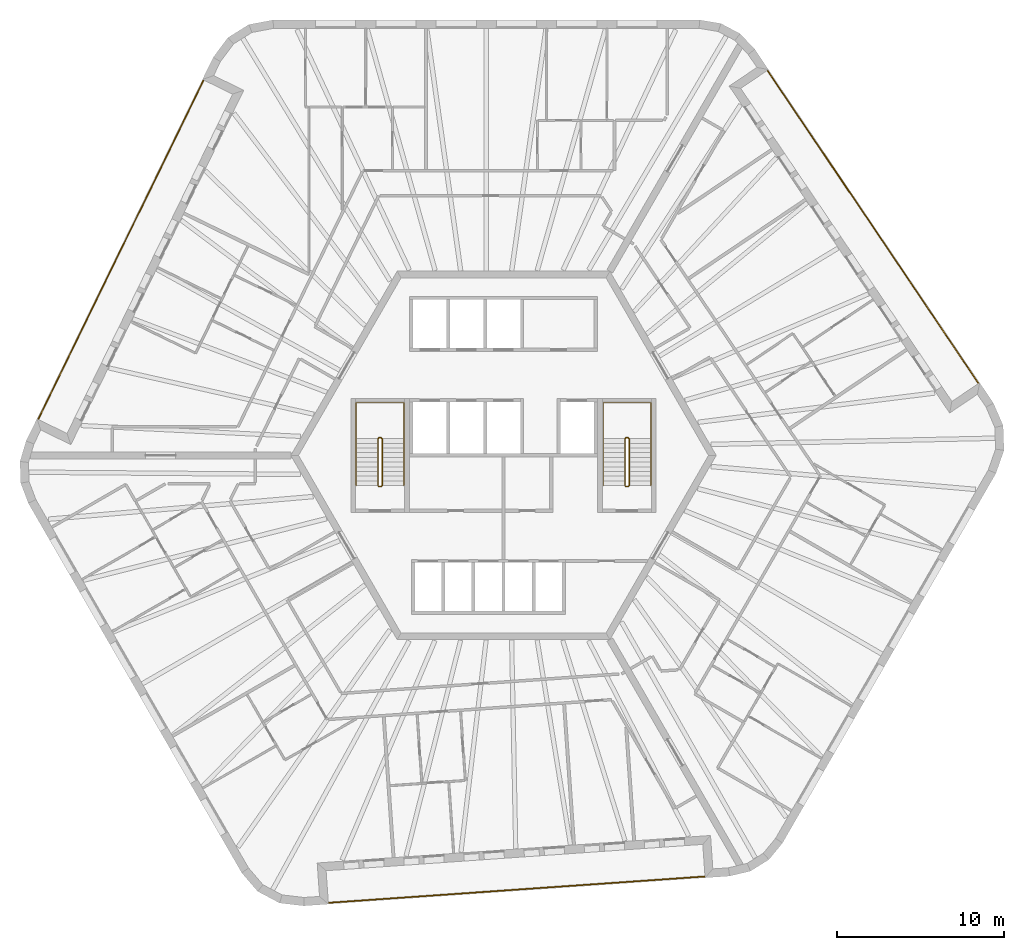
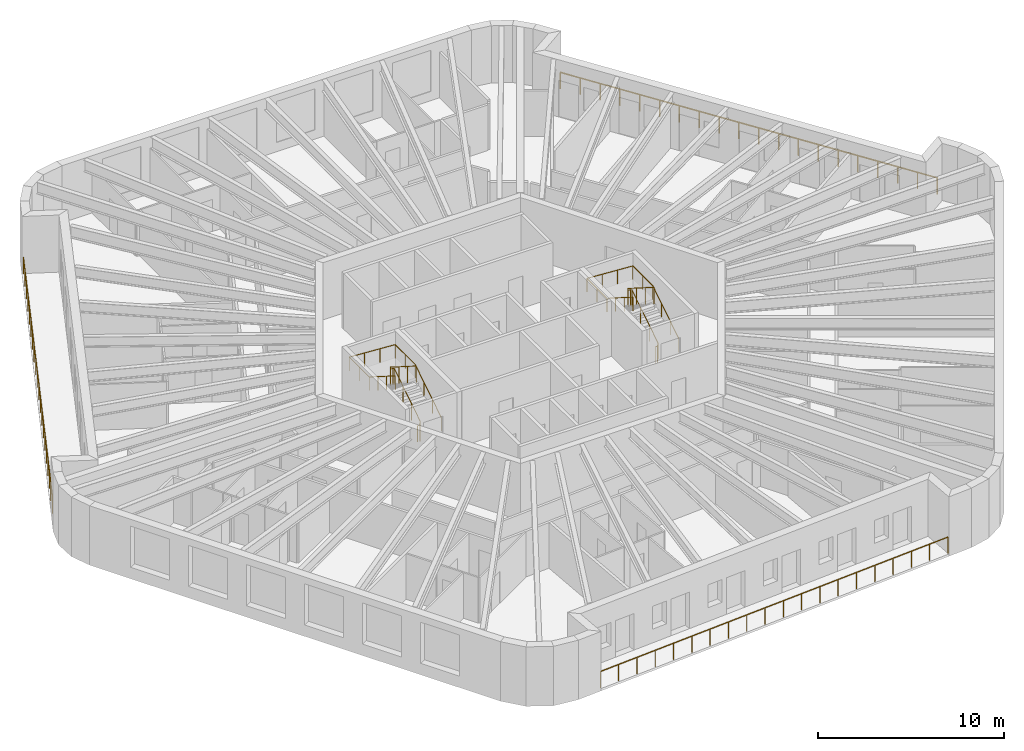
# One storey, part 12 of 12: 7 railings.
"""IFC4 building model written with IfcOpenShell, lengths in metres."""

import ifcopenshell
import ifcopenshell.guid

model = None  # the IFC model being written
_history = None  # IfcOwnerHistory: only IFC2X3 demands one
_inside = {}  # id of a spatial element -> (the spatial element, [elements in it])
_under = {}  # id of a project, library or spatial element -> (it, [spatial elements below it])
_declared = {}  # id of a project -> (the project, [libraries it declares])
_typed = {}  # id of a type object -> (the type object, [elements of that type])
_made_of = {}  # id of a material, layer set ... -> (it, [elements and type objects made of it])


def new_model(schema):
    """Start an empty IFC model of exactly this schema.

    Asked for "IFC4X3", IfcOpenShell would pick the latest addendum, in which some entities
    have other attributes; the version numbers below select the first issue.
    IFC2X3 requires an IfcOwnerHistory on every rooted entity: one is made here for all.
    """
    global model, _history
    if schema == "IFC4X3":
        model = ifcopenshell.file(schema_version=(4, 3, 0, 0))
    else:
        model = ifcopenshell.file(schema=schema)
    _inside.clear()
    _under.clear()
    _declared.clear()
    _typed.clear()
    _made_of.clear()
    _history = None
    if model.schema == "IFC2X3":
        org = make("IfcOrganization", Name="unknown")
        user = make(
            "IfcPersonAndOrganization",
            ThePerson=make("IfcPerson", FamilyName="unknown"),
            TheOrganization=org,
        )
        app = make(
            "IfcApplication",
            ApplicationDeveloper=org,
            Version="unknown",
            ApplicationFullName="unknown",
            ApplicationIdentifier="unknown",
        )
        _history = make(
            "IfcOwnerHistory",
            OwningUser=user,
            OwningApplication=app,
            ChangeAction="ADDED",
            CreationDate=0,
        )
    return model


def make(cls, **values):
    """One entity of the class cls with the attributes given. An attribute that is None is left unset."""
    return model.create_entity(
        cls, **{name: value for name, value in values.items() if value is not None}
    )


def rooted(cls, **values):
    """An entity with a GlobalId (a new one), such as an element, a storey or a relation."""
    return make(cls, GlobalId=ifcopenshell.guid.new(), OwnerHistory=_history, **values)


def si_unit(unit_type, name, prefix=None):
    """IfcSIUnit, for example si_unit("LENGTHUNIT", "METRE", prefix="MILLI")."""
    return make("IfcSIUnit", UnitType=unit_type, Prefix=prefix, Name=name)


def assignment(units):
    """IfcUnitAssignment: the units of a project."""
    return None if units is None else make("IfcUnitAssignment", Units=units)


def point(xyz):
    """IfcCartesianPoint."""
    return None if xyz is None else make("IfcCartesianPoint", Coordinates=xyz)


def direction(xyz):
    """IfcDirection."""
    return None if xyz is None else make("IfcDirection", DirectionRatios=xyz)


def frame(location, z_axis=None, x_axis=None):
    """IfcAxis2Placement3D, a coordinate frame: its origin and axes. An axis left out is left unset."""
    return make(
        "IfcAxis2Placement3D",
        Location=point(location),
        Axis=direction(z_axis),
        RefDirection=direction(x_axis),
    )


def frame_2d(location, x_axis=None):
    """IfcAxis2Placement2D, a coordinate frame in the plane: its origin and x axis."""
    return make(
        "IfcAxis2Placement2D", Location=point(location), RefDirection=direction(x_axis)
    )


def origin():
    """The frame at (0, 0, 0) with its axes left unset."""
    return frame((0.0, 0.0, 0.0))


def origin_2d():
    """The frame at (0, 0) in the plane with its x axis left unset."""
    return frame_2d((0.0, 0.0))


def place(relative_to, where):
    """IfcLocalPlacement: puts the frame where relative to a parent placement (None: the world)."""
    return make(
        "IfcLocalPlacement", PlacementRelTo=relative_to, RelativePlacement=where
    )


def context(
    kind, dimensions, precision=None, world=None, true_north=None, identifier=None
):
    """IfcGeometricRepresentationContext, for example the 3D "Model" context."""
    return make(
        "IfcGeometricRepresentationContext",
        ContextIdentifier=identifier,
        ContextType=kind,
        CoordinateSpaceDimension=dimensions,
        Precision=precision,
        WorldCoordinateSystem=world,
        TrueNorth=true_north,
    )


def subcontext(parent, identifier, kind, view, scale=None):
    """IfcGeometricRepresentationSubContext, for example "Body" below "Model"."""
    return make(
        "IfcGeometricRepresentationSubContext",
        ContextIdentifier=identifier,
        ContextType=kind,
        ParentContext=parent,
        TargetScale=scale,
        TargetView=view,
    )


def project(units=None, contexts=None):
    """IfcProject with its units and contexts."""
    return rooted(
        "IfcProject",
        Name="project",
        RepresentationContexts=contexts,
        UnitsInContext=assignment(units),
    )


def spatial(cls, under=None, at=None, **own):
    """A site, building, storey or space (cls), placed at a placement, below another one or the project."""
    s = rooted(cls, ObjectPlacement=at, **own)
    if under is not None:
        _under.setdefault(under.id(), (under, []))[1].append(s)
    return s


def profile(cls, at=None, kind="AREA", **sizes):
    """A parametric profile (cls). Its sizes go by their IFC names, for example OverallWidth=200.0."""
    return make(cls, ProfileType=kind, Position=at, **sizes)


def circle(**sizes):
    """IfcCircleProfileDef."""
    return profile("IfcCircleProfileDef", **sizes)


def extrude(swept, where, along, depth):
    """IfcExtrudedAreaSolid: the profile swept, set in the frame where, extruded along a direction by depth."""
    return make(
        "IfcExtrudedAreaSolid",
        SweptArea=swept,
        Position=where,
        ExtrudedDirection=direction(along),
        Depth=depth,
    )


def shape(context_of_items, identifier, shape_type, items):
    """IfcShapeRepresentation: the items that make up one representation, for example the "Body"."""
    return make(
        "IfcShapeRepresentation",
        ContextOfItems=context_of_items,
        RepresentationIdentifier=identifier,
        RepresentationType=shape_type,
        Items=items,
    )


def material(Name=None, Category=None):
    """IfcMaterial."""
    return make("IfcMaterial", Name=Name, Category=Category)


def made_of(thing, what):
    """Note that an element or type object is made of a material, layer set ...; save() writes the relation."""
    if what is not None:
        _made_of.setdefault(what.id(), (what, []))[1].append(thing)
    return thing


def type_object(cls, material=None, **own):
    """A type object (cls), such as IfcWallType, which elements share."""
    return made_of(rooted(cls, **own), material)


def element(
    cls,
    number,
    at=None,
    inside=None,
    cuts=None,
    type_object=None,
    material=None,
    context=None,
    identifier="Body",
    shape_type=None,
    held_by="IfcProductDefinitionShape",
    body=None,
    shapes=None,
    **own,
):
    """One element of the class cls, such as IfcWall. Its Tag is "e" and its number.

    at: its placement. inside: the storey or other place that contains it. cuts: it is an
    opening in that element (IfcRelVoidsElement). A single representation is given by context,
    identifier, shape_type and body (its items); several are given by shapes. held_by: the class
    of the entity that holds the representations. save() writes the other relations.
    """
    e = rooted(cls, Tag="e%d" % number, ObjectPlacement=at, **own)
    if body is not None:
        shapes = [shape(context, identifier, shape_type, body)]
    if shapes is not None:
        e.Representation = make(held_by, Representations=shapes)
    if inside is not None:
        _inside.setdefault(inside.id(), (inside, []))[1].append(e)
    if cuts is not None:
        rooted(
            "IfcRelVoidsElement", RelatingBuildingElement=cuts, RelatedOpeningElement=e
        )
    if type_object is not None:
        _typed.setdefault(type_object.id(), (type_object, []))[1].append(e)
    return made_of(e, material)


def aggregate(whole, parts):
    """IfcRelAggregates: a whole, such as a stair, and the parts it consists of."""
    return rooted("IfcRelAggregates", RelatingObject=whole, RelatedObjects=parts)


def save(model, path):
    """Write the relations noted so far, then the file.

    IfcRelAggregates (storeys below a building ...), IfcRelContainedInSpatialStructure (elements
    in a storey), IfcRelDefinesByType, IfcRelAssociatesMaterial and IfcRelDeclares: one each for
    every whole, place, type object, material and project.
    """
    for whole, parts in _under.values():
        aggregate(whole, parts)
    for where, things in _inside.values():
        rooted(
            "IfcRelContainedInSpatialStructure",
            RelatedElements=things,
            RelatingStructure=where,
        )
    for kind, things in _typed.values():
        rooted("IfcRelDefinesByType", RelatedObjects=things, RelatingType=kind)
    for what, things in _made_of.values():
        rooted("IfcRelAssociatesMaterial", RelatedObjects=things, RelatingMaterial=what)
    for by, libraries in _declared.values():
        rooted("IfcRelDeclares", RelatingContext=by, RelatedDefinitions=libraries)
    model.write(path)


model = new_model("IFC4")

# Units and contexts
model_context = context("Model", 3, precision=1e-05, world=origin(), true_north=direction((0.0, 1.0)))
body_context = subcontext(model_context, "Body", "Model", "MODEL_VIEW")
ifc_project = project(units=[si_unit("LENGTHUNIT", "METRE"), si_unit("AREAUNIT", "SQUARE_METRE"), si_unit("VOLUMEUNIT", "CUBIC_METRE"), si_unit("PLANEANGLEUNIT", "RADIAN"), si_unit("MASSUNIT", "GRAM", prefix="KILO")], contexts=[model_context])

# Site, building, storey
site_placement = place(None, origin())
site = spatial("IfcSite", under=ifc_project, at=site_placement, CompositionType="ELEMENT")
building_placement = place(site_placement, origin())
building = spatial("IfcBuilding", under=site, at=building_placement, Name="Tarnside Tower", CompositionType="ELEMENT")
storey_placement = place(building_placement, frame((0.0, 0.0, 310.800048828125)))
storey = spatial("IfcBuildingStorey", under=building, at=storey_placement, Name="L75", CompositionType="ELEMENT", Elevation=310.800048828125)

# Railings
ifc_material_1 = material(Name="Toughened glass", Category="glass")
railing_type_1 = type_object("IfcRailingType", Name="Glass guard 1100", PredefinedType="GUARDRAIL", material=ifc_material_1)
railing_1_placement = place(storey_placement, frame((-17.906005859375, 22.415283203125, 0.0)))
element("IfcRailing", 1, at=railing_1_placement, inside=storey, type_object=railing_type_1, Name="Loggia guard L75 F2", PredefinedType="GUARDRAIL", context=body_context, shape_type="SweptSolid", body=[
    extrude(circle(Radius=0.030029296875, at=origin_2d()), frame((0.0, 0.0, 1.070068359375), z_axis=(-0.438372639335, -0.898793318335, 0.0), x_axis=(0.898793318335, -0.438372639335, 0.0)), (0.0, 0.0, 1.0), 22.544921875),
    extrude(circle(Radius=0.02490234375, at=origin_2d()), origin(), (0.0, 0.0, 1.0), 1.0400390625),
    extrude(circle(Radius=0.02490234375, at=origin_2d()), frame((-0.520263671875, -1.06640625, 0.0)), (0.0, 0.0, 1.0), 1.0400390625),
    extrude(circle(Radius=0.02490234375, at=origin_2d()), frame((-1.040283203125, -2.133056640625, 0.0)), (0.0, 0.0, 1.0), 1.0400390625),
    extrude(circle(Radius=0.02490234375, at=origin_2d()), frame((-1.560546875, -3.199462890625, 0.0)), (0.0, 0.0, 1.0), 1.0400390625),
    extrude(circle(Radius=0.02490234375, at=origin_2d()), frame((-2.08056640625, -4.265869140625, 0.0)), (0.0, 0.0, 1.0), 1.0400390625),
    extrude(circle(Radius=0.02490234375, at=origin_2d()), frame((-2.600830078125, -5.33251953125, 0.0)), (0.0, 0.0, 1.0), 1.0400390625),
    extrude(circle(Radius=0.02490234375, at=origin_2d()), frame((-3.120849609375, -6.39892578125, 0.0)), (0.0, 0.0, 1.0), 1.0400390625),
    extrude(circle(Radius=0.02490234375, at=origin_2d()), frame((-3.64111328125, -7.46533203125, 0.0)), (0.0, 0.0, 1.0), 1.0400390625),
    extrude(circle(Radius=0.02490234375, at=origin_2d()), frame((-4.161376953125, -8.531982421875, 0.0)), (0.0, 0.0, 1.0), 1.0400390625),
    extrude(circle(Radius=0.02490234375, at=origin_2d()), frame((-4.681396484375, -9.598388671875, 0.0)), (0.0, 0.0, 1.0), 1.0400390625),
    extrude(circle(Radius=0.02490234375, at=origin_2d()), frame((-5.20166015625, -10.664794921875, 0.0)), (0.0, 0.0, 1.0), 1.0400390625),
    extrude(circle(Radius=0.02490234375, at=origin_2d()), frame((-5.7216796875, -11.731201171875, 0.0)), (0.0, 0.0, 1.0), 1.0400390625),
    extrude(circle(Radius=0.02490234375, at=origin_2d()), frame((-6.241943359375, -12.7978515625, 0.0)), (0.0, 0.0, 1.0), 1.0400390625),
    extrude(circle(Radius=0.02490234375, at=origin_2d()), frame((-6.76220703125, -13.8642578125, 0.0)), (0.0, 0.0, 1.0), 1.0400390625),
    extrude(circle(Radius=0.02490234375, at=origin_2d()), frame((-7.2822265625, -14.9306640625, 0.0)), (0.0, 0.0, 1.0), 1.0400390625),
    extrude(circle(Radius=0.02490234375, at=origin_2d()), frame((-7.802490234375, -15.997314453125, 0.0)), (0.0, 0.0, 1.0), 1.0400390625),
    extrude(circle(Radius=0.02490234375, at=origin_2d()), frame((-8.322509765625, -17.063720703125, 0.0)), (0.0, 0.0, 1.0), 1.0400390625),
    extrude(circle(Radius=0.02490234375, at=origin_2d()), frame((-8.8427734375, -18.130126953125, 0.0)), (0.0, 0.0, 1.0), 1.0400390625),
    extrude(circle(Radius=0.02490234375, at=origin_2d()), frame((-9.36279296875, -19.19677734375, 0.0)), (0.0, 0.0, 1.0), 1.0400390625),
    extrude(circle(Radius=0.02490234375, at=origin_2d()), frame((-9.883056640625, -20.26318359375, 0.0)), (0.0, 0.0, 1.0), 1.0400390625),
])
railing_2_placement = place(storey_placement, frame((-10.458984375, -26.714599609375, 0.0)))
element("IfcRailing", 2, at=railing_2_placement, inside=storey, type_object=railing_type_1, Name="Loggia guard L75 F4", PredefinedType="GUARDRAIL", context=body_context, shape_type="SweptSolid", body=[
    extrude(circle(Radius=0.030029296875, at=origin_2d()), frame((0.0, 0.0, 1.070068359375), z_axis=(0.997564440639, 0.069750890837, 0.0), x_axis=(-0.069750890837, 0.997564440639, 0.0)), (0.0, 0.0, 1.0), 22.544677734375),
    extrude(circle(Radius=0.02490234375, at=origin_2d()), origin(), (0.0, 0.0, 1.0), 1.0400390625),
    extrude(circle(Radius=0.02490234375, at=origin_2d()), frame((1.18359375, 0.082763671875, 0.0)), (0.0, 0.0, 1.0), 1.0400390625),
    extrude(circle(Radius=0.02490234375, at=origin_2d()), frame((2.367431640625, 0.16552734375, 0.0)), (0.0, 0.0, 1.0), 1.0400390625),
    extrude(circle(Radius=0.02490234375, at=origin_2d()), frame((3.551025390625, 0.248291015625, 0.0)), (0.0, 0.0, 1.0), 1.0400390625),
    extrude(circle(Radius=0.02490234375, at=origin_2d()), frame((4.734619140625, 0.3310546875, 0.0)), (0.0, 0.0, 1.0), 1.0400390625),
    extrude(circle(Radius=0.02490234375, at=origin_2d()), frame((5.91845703125, 0.413818359375, 0.0)), (0.0, 0.0, 1.0), 1.0400390625),
    extrude(circle(Radius=0.02490234375, at=origin_2d()), frame((7.10205078125, 0.49658203125, 0.0)), (0.0, 0.0, 1.0), 1.0400390625),
    extrude(circle(Radius=0.02490234375, at=origin_2d()), frame((8.28564453125, 0.579345703125, 0.0)), (0.0, 0.0, 1.0), 1.0400390625),
    extrude(circle(Radius=0.02490234375, at=origin_2d()), frame((9.469482421875, 0.662109375, 0.0)), (0.0, 0.0, 1.0), 1.0400390625),
    extrude(circle(Radius=0.02490234375, at=origin_2d()), frame((10.653076171875, 0.744873046875, 0.0)), (0.0, 0.0, 1.0), 1.0400390625),
    extrude(circle(Radius=0.02490234375, at=origin_2d()), frame((11.836669921875, 0.82763671875, 0.0)), (0.0, 0.0, 1.0), 1.0400390625),
    extrude(circle(Radius=0.02490234375, at=origin_2d()), frame((13.020263671875, 0.910400390625, 0.0)), (0.0, 0.0, 1.0), 1.0400390625),
    extrude(circle(Radius=0.02490234375, at=origin_2d()), frame((14.2041015625, 0.9931640625, 0.0)), (0.0, 0.0, 1.0), 1.0400390625),
    extrude(circle(Radius=0.02490234375, at=origin_2d()), frame((15.3876953125, 1.075927734375, 0.0)), (0.0, 0.0, 1.0), 1.0400390625),
    extrude(circle(Radius=0.02490234375, at=origin_2d()), frame((16.5712890625, 1.15869140625, 0.0)), (0.0, 0.0, 1.0), 1.0400390625),
    extrude(circle(Radius=0.02490234375, at=origin_2d()), frame((17.755126953125, 1.241455078125, 0.0)), (0.0, 0.0, 1.0), 1.0400390625),
    extrude(circle(Radius=0.02490234375, at=origin_2d()), frame((18.938720703125, 1.32421875, 0.0)), (0.0, 0.0, 1.0), 1.0400390625),
    extrude(circle(Radius=0.02490234375, at=origin_2d()), frame((20.122314453125, 1.406982421875, 0.0)), (0.0, 0.0, 1.0), 1.0400390625),
    extrude(circle(Radius=0.02490234375, at=origin_2d()), frame((21.30615234375, 1.48974609375, 0.0)), (0.0, 0.0, 1.0), 1.0400390625),
    extrude(circle(Radius=0.02490234375, at=origin_2d()), frame((22.48974609375, 1.572509765625, 0.0)), (0.0, 0.0, 1.0), 1.0400390625),
])
railing_3_placement = place(storey_placement, frame((28.365234375, 4.299560546875, 0.0)))
element("IfcRailing", 3, at=railing_3_placement, inside=storey, type_object=railing_type_1, Name="Loggia guard L75 F6", PredefinedType="GUARDRAIL", context=body_context, shape_type="SweptSolid", body=[
    extrude(circle(Radius=0.030029296875, at=origin_2d()), frame((0.0, 0.0, 1.070068359375), z_axis=(-0.559195329741, 0.82903593601, 0.0), x_axis=(-0.82903593601, -0.559195329741, 0.0)), (0.0, 0.0, 1.0), 22.544677734375),
    extrude(circle(Radius=0.02490234375, at=origin_2d()), origin(), (0.0, 0.0, 1.0), 1.0400390625),
    extrude(circle(Radius=0.02490234375, at=origin_2d()), frame((-0.66357421875, 0.983642578125, 0.0)), (0.0, 0.0, 1.0), 1.0400390625),
    extrude(circle(Radius=0.02490234375, at=origin_2d()), frame((-1.3271484375, 1.967529296875, 0.0)), (0.0, 0.0, 1.0), 1.0400390625),
    extrude(circle(Radius=0.02490234375, at=origin_2d()), frame((-1.990478515625, 2.951171875, 0.0)), (0.0, 0.0, 1.0), 1.0400390625),
    extrude(circle(Radius=0.02490234375, at=origin_2d()), frame((-2.654052734375, 3.934814453125, 0.0)), (0.0, 0.0, 1.0), 1.0400390625),
    extrude(circle(Radius=0.02490234375, at=origin_2d()), frame((-3.317626953125, 4.91845703125, 0.0)), (0.0, 0.0, 1.0), 1.0400390625),
    extrude(circle(Radius=0.02490234375, at=origin_2d()), frame((-3.981201171875, 5.90234375, 0.0)), (0.0, 0.0, 1.0), 1.0400390625),
    extrude(circle(Radius=0.02490234375, at=origin_2d()), frame((-4.644775390625, 6.885986328125, 0.0)), (0.0, 0.0, 1.0), 1.0400390625),
    extrude(circle(Radius=0.02490234375, at=origin_2d()), frame((-5.30810546875, 7.86962890625, 0.0)), (0.0, 0.0, 1.0), 1.0400390625),
    extrude(circle(Radius=0.02490234375, at=origin_2d()), frame((-5.9716796875, 8.853271484375, 0.0)), (0.0, 0.0, 1.0), 1.0400390625),
    extrude(circle(Radius=0.02490234375, at=origin_2d()), frame((-6.63525390625, 9.837158203125, 0.0)), (0.0, 0.0, 1.0), 1.0400390625),
    extrude(circle(Radius=0.02490234375, at=origin_2d()), frame((-7.298828125, 10.82080078125, 0.0)), (0.0, 0.0, 1.0), 1.0400390625),
    extrude(circle(Radius=0.02490234375, at=origin_2d()), frame((-7.962158203125, 11.804443359375, 0.0)), (0.0, 0.0, 1.0), 1.0400390625),
    extrude(circle(Radius=0.02490234375, at=origin_2d()), frame((-8.625732421875, 12.7880859375, 0.0)), (0.0, 0.0, 1.0), 1.0400390625),
    extrude(circle(Radius=0.02490234375, at=origin_2d()), frame((-9.289306640625, 13.77197265625, 0.0)), (0.0, 0.0, 1.0), 1.0400390625),
    extrude(circle(Radius=0.02490234375, at=origin_2d()), frame((-9.952880859375, 14.755615234375, 0.0)), (0.0, 0.0, 1.0), 1.0400390625),
    extrude(circle(Radius=0.02490234375, at=origin_2d()), frame((-10.616455078125, 15.7392578125, 0.0)), (0.0, 0.0, 1.0), 1.0400390625),
    extrude(circle(Radius=0.02490234375, at=origin_2d()), frame((-11.27978515625, 16.722900390625, 0.0)), (0.0, 0.0, 1.0), 1.0400390625),
    extrude(circle(Radius=0.02490234375, at=origin_2d()), frame((-11.943359375, 17.706787109375, 0.0)), (0.0, 0.0, 1.0), 1.0400390625),
    extrude(circle(Radius=0.02490234375, at=origin_2d()), frame((-12.60693359375, 18.6904296875, 0.0)), (0.0, 0.0, 1.0), 1.0400390625),
])
ifc_material_2 = material(Name="Stainless steel", Category="steel")
railing_type_2 = type_object("IfcRailingType", Name="Stair guard 1100", PredefinedType="GUARDRAIL", material=ifc_material_2)
railing_4_placement = place(storey_placement, frame((7.300048828125, -1.85009765625, 0.0)))
element("IfcRailing", 4, at=railing_4_placement, inside=storey, type_object=railing_type_2, Name="L75 ST1 stair guard 1", PredefinedType="GUARDRAIL", context=body_context, shape_type="SweptSolid", body=[
    extrude(circle(Radius=0.02392578125, at=origin_2d()), frame((0.0, 0.0, 1.076171875), z_axis=(1.0, 0.0, 0.0), x_axis=(0.0, 1.0, 0.0)), (0.0, 0.0, 1.0), 0.14990234375),
    extrude(circle(Radius=0.02392578125, at=origin_2d()), frame((0.14990234375, 0.0, 1.076171875), z_axis=(0.262233686654, 0.262233686654, 0.928691007369), x_axis=(-0.707106781187, 0.707106781187, 0.0)), (0.0, 0.0, 1.0), 0.19091796875),
    extrude(circle(Radius=0.02392578125, at=origin_2d()), frame((0.199951171875, 0.050048828125, 1.25341796875), z_axis=(0.0, 0.844908973607, 0.534910110503), x_axis=(-1.0, 0.0, 0.0)), (0.0, 0.0, 1.0), 3.31396484375),
    extrude(circle(Radius=0.02392578125, at=origin_2d()), frame((0.199951171875, 2.85009765625, 3.02587890625), z_axis=(-0.707106781187, 0.707106781187, 0.0), x_axis=(-0.707106781187, -0.707106781187, 0.0)), (0.0, 0.0, 1.0), 0.07080078125),
    extrude(circle(Radius=0.02392578125, at=origin_2d()), frame((0.14990234375, 2.900146484375, 3.02587890625), z_axis=(-1.0, 0.0, 0.0), x_axis=(0.0, -1.0, 0.0)), (0.0, 0.0, 1.0), 0.14990234375),
    extrude(circle(Radius=0.02392578125, at=origin_2d()), frame((0.0, 2.900146484375, 3.02587890625), z_axis=(-0.262233686654, -0.262233686654, 0.928691007369), x_axis=(0.707106781187, -0.707106781187, 0.0)), (0.0, 0.0, 1.0), 0.19091796875),
    extrude(circle(Radius=0.02392578125, at=origin_2d()), frame((-0.050048828125, 2.85009765625, 3.203125), z_axis=(0.0, -0.844908973607, 0.534910110503), x_axis=(1.0, 0.0, 0.0)), (0.0, 0.0, 1.0), 3.31396484375),
    extrude(circle(Radius=0.02099609375, at=origin_2d()), origin(), (0.0, 0.0, 1.0), 1.052001953125),
    extrude(circle(Radius=0.02099609375, at=origin_2d()), frame((0.14990234375, 0.0, 0.0)), (0.0, 0.0, 1.0), 1.052001953125),
    extrude(circle(Radius=0.02099609375, at=origin_2d()), frame((0.199951171875, 0.050048828125, 0.17724609375)), (0.0, 0.0, 1.0), 1.052001953125),
    extrude(circle(Radius=0.02099609375, at=origin_2d()), frame((0.199951171875, 0.9833984375, 0.76806640625)), (0.0, 0.0, 1.0), 1.052001953125),
    extrude(circle(Radius=0.02099609375, at=origin_2d()), frame((0.199951171875, 1.916748046875, 1.359130859375)), (0.0, 0.0, 1.0), 1.052001953125),
    extrude(circle(Radius=0.02099609375, at=origin_2d()), frame((0.199951171875, 2.85009765625, 1.949951171875)), (0.0, 0.0, 1.0), 1.052001953125),
    extrude(circle(Radius=0.02099609375, at=origin_2d()), frame((0.14990234375, 2.900146484375, 1.949951171875)), (0.0, 0.0, 1.0), 1.052001953125),
    extrude(circle(Radius=0.02099609375, at=origin_2d()), frame((0.0, 2.900146484375, 1.949951171875)), (0.0, 0.0, 1.0), 1.052001953125),
    extrude(circle(Radius=0.02099609375, at=origin_2d()), frame((-0.050048828125, 2.85009765625, 2.127197265625)), (0.0, 0.0, 1.0), 1.052001953125),
    extrude(circle(Radius=0.02099609375, at=origin_2d()), frame((-0.050048828125, 1.916748046875, 2.718017578125)), (0.0, 0.0, 1.0), 1.052001953125),
    extrude(circle(Radius=0.02099609375, at=origin_2d()), frame((-0.050048828125, 0.9833984375, 3.30908203125)), (0.0, 0.0, 1.0), 1.052001953125),
    extrude(circle(Radius=0.02099609375, at=origin_2d()), frame((-0.050048828125, 0.050048828125, 3.89990234375)), (0.0, 0.0, 1.0), 1.052001953125),
])
railing_5_placement = place(storey_placement, frame((-7.449951171875, -1.85009765625, 0.0)))
element("IfcRailing", 5, at=railing_5_placement, inside=storey, type_object=railing_type_2, Name="L75 ST2 stair guard 1", PredefinedType="GUARDRAIL", context=body_context, shape_type="SweptSolid", body=[
    extrude(circle(Radius=0.02392578125, at=origin_2d()), frame((0.0, 0.0, 1.076171875), z_axis=(1.0, 0.0, 0.0), x_axis=(0.0, 1.0, 0.0)), (0.0, 0.0, 1.0), 0.14990234375),
    extrude(circle(Radius=0.02392578125, at=origin_2d()), frame((0.14990234375, 0.0, 1.076171875), z_axis=(0.262233686654, 0.262233686654, 0.928691007369), x_axis=(-0.707106781187, 0.707106781187, 0.0)), (0.0, 0.0, 1.0), 0.19091796875),
    extrude(circle(Radius=0.02392578125, at=origin_2d()), frame((0.199951171875, 0.050048828125, 1.25341796875), z_axis=(0.0, 0.844908973607, 0.534910110503), x_axis=(-1.0, 0.0, 0.0)), (0.0, 0.0, 1.0), 3.31396484375),
    extrude(circle(Radius=0.02392578125, at=origin_2d()), frame((0.199951171875, 2.85009765625, 3.02587890625), z_axis=(-0.707106781187, 0.707106781187, 0.0), x_axis=(-0.707106781187, -0.707106781187, 0.0)), (0.0, 0.0, 1.0), 0.07080078125),
    extrude(circle(Radius=0.02392578125, at=origin_2d()), frame((0.14990234375, 2.900146484375, 3.02587890625), z_axis=(-1.0, 0.0, 0.0), x_axis=(0.0, -1.0, 0.0)), (0.0, 0.0, 1.0), 0.14990234375),
    extrude(circle(Radius=0.02392578125, at=origin_2d()), frame((0.0, 2.900146484375, 3.02587890625), z_axis=(-0.262233686654, -0.262233686654, 0.928691007369), x_axis=(0.707106781187, -0.707106781187, 0.0)), (0.0, 0.0, 1.0), 0.19091796875),
    extrude(circle(Radius=0.02392578125, at=origin_2d()), frame((-0.050048828125, 2.85009765625, 3.203125), z_axis=(0.0, -0.844908973607, 0.534910110503), x_axis=(1.0, 0.0, 0.0)), (0.0, 0.0, 1.0), 3.31396484375),
    extrude(circle(Radius=0.02099609375, at=origin_2d()), origin(), (0.0, 0.0, 1.0), 1.052001953125),
    extrude(circle(Radius=0.02099609375, at=origin_2d()), frame((0.14990234375, 0.0, 0.0)), (0.0, 0.0, 1.0), 1.052001953125),
    extrude(circle(Radius=0.02099609375, at=origin_2d()), frame((0.199951171875, 0.050048828125, 0.17724609375)), (0.0, 0.0, 1.0), 1.052001953125),
    extrude(circle(Radius=0.02099609375, at=origin_2d()), frame((0.199951171875, 0.9833984375, 0.76806640625)), (0.0, 0.0, 1.0), 1.052001953125),
    extrude(circle(Radius=0.02099609375, at=origin_2d()), frame((0.199951171875, 1.916748046875, 1.359130859375)), (0.0, 0.0, 1.0), 1.052001953125),
    extrude(circle(Radius=0.02099609375, at=origin_2d()), frame((0.199951171875, 2.85009765625, 1.949951171875)), (0.0, 0.0, 1.0), 1.052001953125),
    extrude(circle(Radius=0.02099609375, at=origin_2d()), frame((0.14990234375, 2.900146484375, 1.949951171875)), (0.0, 0.0, 1.0), 1.052001953125),
    extrude(circle(Radius=0.02099609375, at=origin_2d()), frame((0.0, 2.900146484375, 1.949951171875)), (0.0, 0.0, 1.0), 1.052001953125),
    extrude(circle(Radius=0.02099609375, at=origin_2d()), frame((-0.050048828125, 2.85009765625, 2.127197265625)), (0.0, 0.0, 1.0), 1.052001953125),
    extrude(circle(Radius=0.02099609375, at=origin_2d()), frame((-0.050048828125, 1.916748046875, 2.718017578125)), (0.0, 0.0, 1.0), 1.052001953125),
    extrude(circle(Radius=0.02099609375, at=origin_2d()), frame((-0.050048828125, 0.9833984375, 3.30908203125)), (0.0, 0.0, 1.0), 1.052001953125),
    extrude(circle(Radius=0.02099609375, at=origin_2d()), frame((-0.050048828125, 0.050048828125, 3.89990234375)), (0.0, 0.0, 1.0), 1.052001953125),
])
railing_type_3 = type_object("IfcRailingType", Name="Stair handrail 900", PredefinedType="HANDRAIL", material=ifc_material_2)
railing_6_placement = place(storey_placement, frame((8.800048828125, -1.800048828125, 0.17724609375)))
element("IfcRailing", 6, at=railing_6_placement, inside=storey, type_object=railing_type_3, Name="L75 ST1 stair handrail 1", PredefinedType="HANDRAIL", context=body_context, shape_type="SweptSolid", body=[
    extrude(circle(Radius=0.02392578125, at=origin_2d()), frame((0.0, 0.0, 0.8857421875), z_axis=(0.0, 0.844908973607, 0.534910110503), x_axis=(-1.0, 0.0, 0.0)), (0.0, 0.0, 1.0), 3.31396484375),
    extrude(circle(Radius=0.02392578125, at=origin_2d()), frame((0.0, 2.800048828125, 2.65869140625), z_axis=(0.0, 1.0, 0.0), x_axis=(-1.0, 0.0, 0.0)), (0.0, 0.0, 1.0), 2.14990234375),
    extrude(circle(Radius=0.02392578125, at=origin_2d()), frame((0.0, 4.949951171875, 2.65869140625), z_axis=(-0.998071825391, 0.0, 0.06206956872), x_axis=(0.0, -1.0, 0.0)), (0.0, 0.0, 1.0), 2.855712890625),
    extrude(circle(Radius=0.02392578125, at=origin_2d()), frame((-2.85009765625, 4.949951171875, 2.8359375), z_axis=(0.0, -1.0, 0.0), x_axis=(1.0, 0.0, 0.0)), (0.0, 0.0, 1.0), 2.14990234375),
    extrude(circle(Radius=0.02392578125, at=origin_2d()), frame((-2.85009765625, 2.800048828125, 2.8359375), z_axis=(0.0, -0.844908973607, 0.534910110503), x_axis=(1.0, 0.0, 0.0)), (0.0, 0.0, 1.0), 3.31396484375),
    extrude(circle(Radius=0.02099609375, at=origin_2d()), origin(), (0.0, 0.0, 1.0), 0.86181640625),
    extrude(circle(Radius=0.02099609375, at=origin_2d()), frame((0.0, 0.933349609375, 0.5908203125)), (0.0, 0.0, 1.0), 0.86181640625),
    extrude(circle(Radius=0.02099609375, at=origin_2d()), frame((0.0, 1.86669921875, 1.181884765625)), (0.0, 0.0, 1.0), 0.86181640625),
    extrude(circle(Radius=0.02099609375, at=origin_2d()), frame((0.0, 2.800048828125, 1.772705078125)), (0.0, 0.0, 1.0), 0.86181640625),
    extrude(circle(Radius=0.02099609375, at=origin_2d()), frame((0.0, 3.875, 1.772705078125)), (0.0, 0.0, 1.0), 0.86181640625),
    extrude(circle(Radius=0.02099609375, at=origin_2d()), frame((0.0, 4.949951171875, 1.772705078125)), (0.0, 0.0, 1.0), 0.86181640625),
    extrude(circle(Radius=0.02099609375, at=origin_2d()), frame((-0.949951171875, 4.949951171875, 1.831787109375)), (0.0, 0.0, 1.0), 0.86181640625),
    extrude(circle(Radius=0.02099609375, at=origin_2d()), frame((-1.900146484375, 4.949951171875, 1.890869140625)), (0.0, 0.0, 1.0), 0.86181640625),
    extrude(circle(Radius=0.02099609375, at=origin_2d()), frame((-2.85009765625, 4.949951171875, 1.949951171875)), (0.0, 0.0, 1.0), 0.86181640625),
    extrude(circle(Radius=0.02099609375, at=origin_2d()), frame((-2.85009765625, 3.875, 1.949951171875)), (0.0, 0.0, 1.0), 0.86181640625),
    extrude(circle(Radius=0.02099609375, at=origin_2d()), frame((-2.85009765625, 2.800048828125, 1.949951171875)), (0.0, 0.0, 1.0), 0.86181640625),
    extrude(circle(Radius=0.02099609375, at=origin_2d()), frame((-2.85009765625, 1.86669921875, 2.540771484375)), (0.0, 0.0, 1.0), 0.86181640625),
    extrude(circle(Radius=0.02099609375, at=origin_2d()), frame((-2.85009765625, 0.933349609375, 3.1318359375)), (0.0, 0.0, 1.0), 0.86181640625),
    extrude(circle(Radius=0.02099609375, at=origin_2d()), frame((-2.85009765625, 0.0, 3.72265625)), (0.0, 0.0, 1.0), 0.86181640625),
])
railing_7_placement = place(storey_placement, frame((-5.949951171875, -1.800048828125, 0.17724609375)))
element("IfcRailing", 7, at=railing_7_placement, inside=storey, type_object=railing_type_3, Name="L75 ST2 stair handrail 1", PredefinedType="HANDRAIL", context=body_context, shape_type="SweptSolid", body=[
    extrude(circle(Radius=0.02392578125, at=origin_2d()), frame((0.0, 0.0, 0.8857421875), z_axis=(0.0, 0.844908973607, 0.534910110503), x_axis=(-1.0, 0.0, 0.0)), (0.0, 0.0, 1.0), 3.31396484375),
    extrude(circle(Radius=0.02392578125, at=origin_2d()), frame((0.0, 2.800048828125, 2.65869140625), z_axis=(0.0, 1.0, 0.0), x_axis=(-1.0, 0.0, 0.0)), (0.0, 0.0, 1.0), 2.14990234375),
    extrude(circle(Radius=0.02392578125, at=origin_2d()), frame((0.0, 4.949951171875, 2.65869140625), z_axis=(-0.998071825391, 0.0, 0.06206956872), x_axis=(0.0, -1.0, 0.0)), (0.0, 0.0, 1.0), 2.855712890625),
    extrude(circle(Radius=0.02392578125, at=origin_2d()), frame((-2.85009765625, 4.949951171875, 2.8359375), z_axis=(0.0, -1.0, 0.0), x_axis=(1.0, 0.0, 0.0)), (0.0, 0.0, 1.0), 2.14990234375),
    extrude(circle(Radius=0.02392578125, at=origin_2d()), frame((-2.85009765625, 2.800048828125, 2.8359375), z_axis=(0.0, -0.844908973607, 0.534910110503), x_axis=(1.0, 0.0, 0.0)), (0.0, 0.0, 1.0), 3.31396484375),
    extrude(circle(Radius=0.02099609375, at=origin_2d()), origin(), (0.0, 0.0, 1.0), 0.86181640625),
    extrude(circle(Radius=0.02099609375, at=origin_2d()), frame((0.0, 0.933349609375, 0.5908203125)), (0.0, 0.0, 1.0), 0.86181640625),
    extrude(circle(Radius=0.02099609375, at=origin_2d()), frame((0.0, 1.86669921875, 1.181884765625)), (0.0, 0.0, 1.0), 0.86181640625),
    extrude(circle(Radius=0.02099609375, at=origin_2d()), frame((0.0, 2.800048828125, 1.772705078125)), (0.0, 0.0, 1.0), 0.86181640625),
    extrude(circle(Radius=0.02099609375, at=origin_2d()), frame((0.0, 3.875, 1.772705078125)), (0.0, 0.0, 1.0), 0.86181640625),
    extrude(circle(Radius=0.02099609375, at=origin_2d()), frame((0.0, 4.949951171875, 1.772705078125)), (0.0, 0.0, 1.0), 0.86181640625),
    extrude(circle(Radius=0.02099609375, at=origin_2d()), frame((-0.949951171875, 4.949951171875, 1.831787109375)), (0.0, 0.0, 1.0), 0.86181640625),
    extrude(circle(Radius=0.02099609375, at=origin_2d()), frame((-1.900146484375, 4.949951171875, 1.890869140625)), (0.0, 0.0, 1.0), 0.86181640625),
    extrude(circle(Radius=0.02099609375, at=origin_2d()), frame((-2.85009765625, 4.949951171875, 1.949951171875)), (0.0, 0.0, 1.0), 0.86181640625),
    extrude(circle(Radius=0.02099609375, at=origin_2d()), frame((-2.85009765625, 3.875, 1.949951171875)), (0.0, 0.0, 1.0), 0.86181640625),
    extrude(circle(Radius=0.02099609375, at=origin_2d()), frame((-2.85009765625, 2.800048828125, 1.949951171875)), (0.0, 0.0, 1.0), 0.86181640625),
    extrude(circle(Radius=0.02099609375, at=origin_2d()), frame((-2.85009765625, 1.86669921875, 2.540771484375)), (0.0, 0.0, 1.0), 0.86181640625),
    extrude(circle(Radius=0.02099609375, at=origin_2d()), frame((-2.85009765625, 0.933349609375, 3.1318359375)), (0.0, 0.0, 1.0), 0.86181640625),
    extrude(circle(Radius=0.02099609375, at=origin_2d()), frame((-2.85009765625, 0.0, 3.72265625)), (0.0, 0.0, 1.0), 0.86181640625),
])

save(model, "model.ifc")
